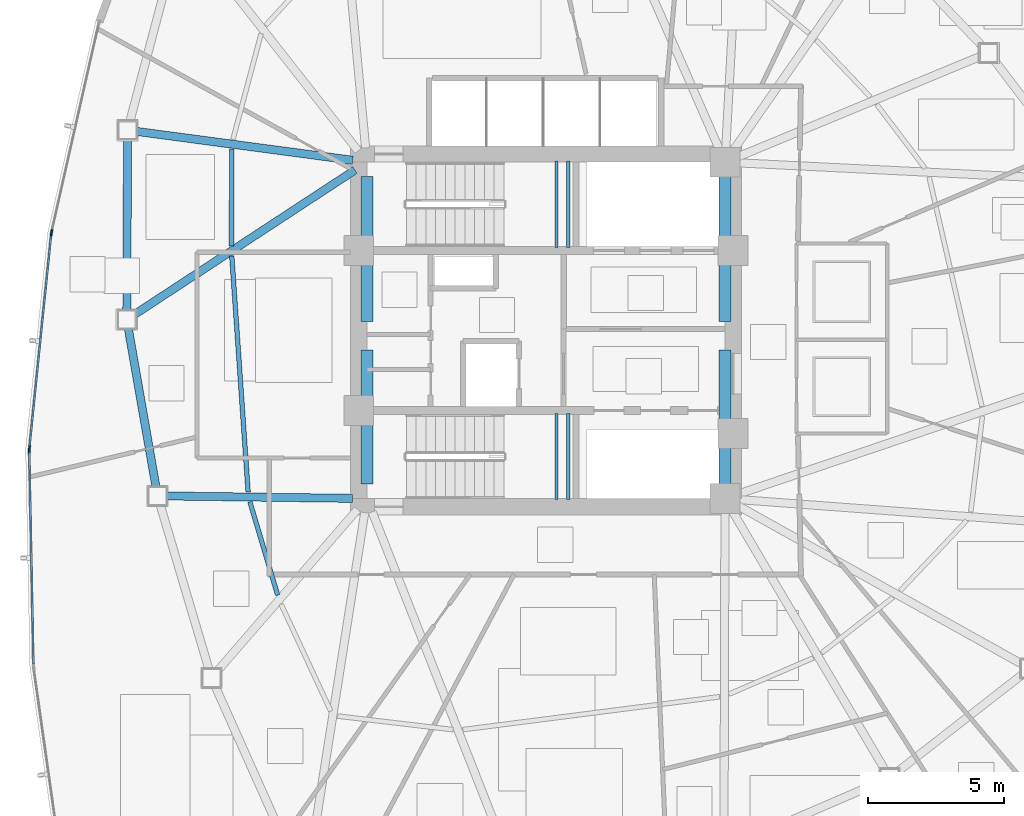
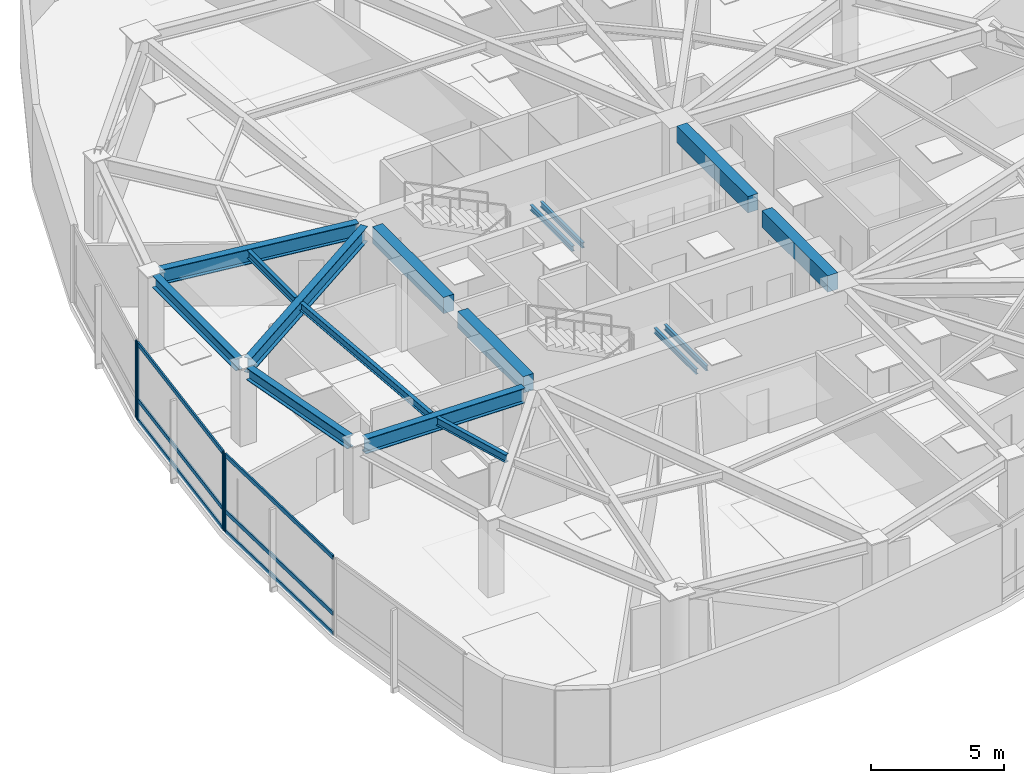
# One storey, part 4 of 17: 16 beams, 10 members, 3 elements without a shape of their own.
"""IFC4 building model written with IfcOpenShell, lengths in metres."""

from ifc_helpers import new_model, si_unit, direction, frame, origin, origin_2d, place, context, subcontext, project, spatial, rectangle, hollow_rectangle, i_section, extrude, source, transform, mapped, material, layer, layer_set, material_profile, profile_set, type_object, type_shapes, element, aggregate, save


model = new_model("IFC4")

# Units and contexts
model_context = context("Model", 3, precision=1e-05, world=origin(), true_north=direction((0.0, 1.0)))
body_context = subcontext(model_context, "Body", "Model", "MODEL_VIEW")
ifc_project = project(units=[si_unit("LENGTHUNIT", "METRE"), si_unit("AREAUNIT", "SQUARE_METRE"), si_unit("VOLUMEUNIT", "CUBIC_METRE"), si_unit("PLANEANGLEUNIT", "RADIAN"), si_unit("MASSUNIT", "GRAM", prefix="KILO")], contexts=[model_context])

# Site, building, storey
site_placement = place(None, origin())
site = spatial("IfcSite", under=ifc_project, at=site_placement, CompositionType="ELEMENT")
building_placement = place(site_placement, origin())
building = spatial("IfcBuilding", under=site, at=building_placement, Name="Tavelor Broadcast Tower", CompositionType="ELEMENT")
storey_placement = place(building_placement, frame((0.0, 0.0, 119.449951171875)))
storey = spatial("IfcBuildingStorey", under=building, at=storey_placement, Name="L27", CompositionType="ELEMENT", Elevation=119.449951171875)

# Beams
ifc_material_1 = material(Name="Concrete C40/50", Category="concrete")
ifc_material_profile_1 = material_profile(ifc_material_1, rectangle(XDim=0.449951171875, YDim=0.75, at=origin_2d()), Name="RC 450x750")
ifc_profile_set_1 = profile_set([ifc_material_profile_1], Name="Concrete C40/50")
beam_type_1 = type_object("IfcBeamType", Name="Basement Core Trim Beam 450x750", PredefinedType="BEAM", material=ifc_profile_set_1)
for number, where, z_axis, x_axis, name in (
    (1, (43.39990234375, 45.327880859375, 3.175048828125), (0.0, 1.0, 0.0), (-1.0, 0.0, 0.0), "L27 Core West-N Tie Girder"),
    (2, (56.60009765625, 45.327880859375, 3.175048828125), (0.0, 1.0, 0.0), (-1.0, 0.0, 0.0), "L27 Core East-N Tie Girder"),
):
    element("IfcBeam", number, at=place(storey_placement, frame(where, z_axis=z_axis, x_axis=x_axis)), inside=storey, type_object=beam_type_1, Name=name, PredefinedType="BEAM", context=body_context, shape_type="SweptSolid", body=[
        extrude(rectangle(XDim=0.449951171875, YDim=0.75, at=origin_2d()), origin(), (0.0, 0.0, 1.0), 5.34423828125),
    ])
for number, where, z_axis, x_axis, name in (
    (3, (43.39990234375, 39.327880859375, 3.175048828125), (0.0, 1.0, 0.0), (-1.0, 0.0, 0.0), "L27 Core West-S Tie Girder"),
    (4, (56.60009765625, 39.327880859375, 3.175048828125), (0.0, 1.0, 0.0), (-1.0, 0.0, 0.0), "L27 Core East-S Tie Girder"),
):
    element("IfcBeam", number, at=place(storey_placement, frame(where, z_axis=z_axis, x_axis=x_axis)), inside=storey, type_object=beam_type_1, Name=name, PredefinedType="BEAM", context=body_context, shape_type="SweptSolid", body=[
        extrude(rectangle(XDim=0.449951171875, YDim=0.75, at=origin_2d()), origin(), (0.0, 0.0, 1.0), 4.944091796875),
    ])
ifc_material_2 = material(Name="Steel S355", Category="steel")
ifc_material_profile_2 = material_profile(ifc_material_2, i_section(OverallWidth=0.169921875, OverallDepth=0.360107421875, WebThickness=0.008056640625, FlangeThickness=0.0126953125, at=origin_2d()), Name="IPE 360")
ifc_profile_set_2 = profile_set([ifc_material_profile_2], Name="Steel S355")
beam_type_2 = type_object("IfcBeamType", Name="Composite Floor Joist T3 IPE 360", PredefinedType="JOIST", material=ifc_profile_set_2)
beam_1_placement = place(storey_placement, frame((38.413818359375, 51.685302734375, 3.3701171875), z_axis=(-0.002320654457, -0.999997307278, 0.0), x_axis=(0.999997307278, -0.002320654457, 0.0)))
element("IfcBeam", 5, at=beam_1_placement, inside=storey, type_object=beam_type_2, Name="L27 Secondary Composite Floor Joist 03", PredefinedType="JOIST", context=body_context, shape_type="SweptSolid", body=[
    extrude(i_section(OverallWidth=0.169921875, OverallDepth=0.360107421875, WebThickness=0.008056640625, FlangeThickness=0.0126953125, at=origin_2d()), origin(), (0.0, 0.0, 1.0), 3.576904296875),
])
beam_2_placement = place(storey_placement, frame((38.41748046875, 47.74658203125, 3.3701171875), z_axis=(0.069100565304, -0.997609699168, 0.0), x_axis=(0.997609699168, 0.069100565304, 0.0)))
element("IfcBeam", 6, at=beam_2_placement, inside=storey, type_object=beam_type_2, Name="L27 Secondary Composite Floor Joist 04", PredefinedType="JOIST", context=body_context, shape_type="SweptSolid", body=[
    extrude(i_section(OverallWidth=0.169921875, OverallDepth=0.360107421875, WebThickness=0.008056640625, FlangeThickness=0.0126953125, at=origin_2d()), origin(), (0.0, 0.0, 1.0), 8.730224609375),
])
beam_3_placement = place(storey_placement, frame((39.084716796875, 38.68310546875, 3.3701171875), z_axis=(0.285203072184, -0.958467113477, 0.0), x_axis=(0.958467113477, 0.285203072184, 0.0)))
element("IfcBeam", 7, at=beam_3_placement, inside=storey, type_object=beam_type_2, Name="L27 Secondary Composite Floor Joist 05", PredefinedType="JOIST", context=body_context, shape_type="SweptSolid", body=[
    extrude(i_section(OverallWidth=0.169921875, OverallDepth=0.360107421875, WebThickness=0.008056640625, FlangeThickness=0.0126953125, at=origin_2d()), origin(), (0.0, 0.0, 1.0), 3.593505859375),
])
ifc_material_profile_3 = material_profile(ifc_material_2, i_section(OverallWidth=0.300048828125, OverallDepth=0.550048828125, WebThickness=0.014892578125, FlangeThickness=0.029052734375, at=origin_2d()), Name="HEB 550")
ifc_profile_set_3 = profile_set([ifc_material_profile_3], Name="Steel S355")
beam_type_3 = type_object("IfcBeamType", Name="Perimeter Spandrel Beam T3 HEB 550", PredefinedType="SPANDREL", material=ifc_profile_set_3)
beam_4_placement = place(storey_placement, frame((34.57373046875, 52.043212890625, 3.275146484375), z_axis=(-0.00410245019, -0.999991584916, 0.0), x_axis=(0.999991584916, -0.00410245019, 0.0)))
element("IfcBeam", 8, at=beam_4_placement, inside=storey, type_object=beam_type_3, Name="L27 Framed-Tube Ring Spandrel 03", PredefinedType="SPANDREL", context=body_context, shape_type="SweptSolid", body=[
    extrude(i_section(OverallWidth=0.300048828125, OverallDepth=0.550048828125, WebThickness=0.014892578125, FlangeThickness=0.029052734375, at=origin_2d()), origin(), (0.0, 0.0, 1.0), 6.30810546875),
])
beam_5_placement = place(storey_placement, frame((34.604248046875, 45.068115234375, 3.275146484375), z_axis=(0.17197754126, -0.985100870623, 0.0), x_axis=(0.985100870623, 0.17197754126, 0.0)))
element("IfcBeam", 9, at=beam_5_placement, inside=storey, type_object=beam_type_3, Name="L27 Framed-Tube Ring Spandrel 04", PredefinedType="SPANDREL", context=body_context, shape_type="SweptSolid", body=[
    extrude(i_section(OverallWidth=0.300048828125, OverallDepth=0.550048828125, WebThickness=0.014892578125, FlangeThickness=0.029052734375, at=origin_2d()), origin(), (0.0, 0.0, 1.0), 5.925537109375),
])
ifc_material_profile_4 = material_profile(ifc_material_2, i_section(OverallWidth=0.300048828125, OverallDepth=0.68994140625, WebThickness=0.014404296875, FlangeThickness=0.027099609375, at=origin_2d()), Name="HEA 700")
ifc_profile_set_4 = profile_set([ifc_material_profile_4], Name="Steel S355")
beam_type_4 = type_object("IfcBeamType", Name="Radial Floor Girder T3 HEA 700", PredefinedType="BEAM", material=ifc_profile_set_4)
beam_6_placement = place(storey_placement, frame((42.876708984375, 51.27001953125, 3.205078125), z_axis=(-0.991191527329, 0.132436234281, 0.0), x_axis=(-0.132436234281, -0.991191527329, 0.0)))
element("IfcBeam", 10, at=beam_6_placement, inside=storey, type_object=beam_type_4, Name="L27 Radial Primary Floor Girder 03", PredefinedType="BEAM", context=body_context, shape_type="SweptSolid", body=[
    extrude(i_section(OverallWidth=0.300048828125, OverallDepth=0.68994140625, WebThickness=0.014404296875, FlangeThickness=0.027099609375, at=origin_2d()), origin(), (0.0, 0.0, 1.0), 8.039306640625),
])
beam_7_placement = place(storey_placement, frame((42.95849609375, 50.91064453125, 3.205078125), z_axis=(-0.836455571638, -0.548034740391, 0.0), x_axis=(0.548034740391, -0.836455571638, 0.0)))
element("IfcBeam", 11, at=beam_7_placement, inside=storey, type_object=beam_type_4, Name="L27 Radial Primary Floor Girder 04", PredefinedType="BEAM", context=body_context, shape_type="SweptSolid", body=[
    extrude(i_section(OverallWidth=0.300048828125, OverallDepth=0.68994140625, WebThickness=0.014404296875, FlangeThickness=0.027099609375, at=origin_2d()), origin(), (0.0, 0.0, 1.0), 9.720947265625),
])
beam_8_placement = place(storey_placement, frame((42.8720703125, 38.806884765625, 3.205078125), z_axis=(-0.999916440376, 0.012927190963, 0.0), x_axis=(-0.012927190963, -0.999916440376, 0.0)))
element("IfcBeam", 12, at=beam_8_placement, inside=storey, type_object=beam_type_4, Name="L27 Radial Primary Floor Girder 05", PredefinedType="BEAM", context=body_context, shape_type="SweptSolid", body=[
    extrude(i_section(OverallWidth=0.300048828125, OverallDepth=0.68994140625, WebThickness=0.014404296875, FlangeThickness=0.027099609375, at=origin_2d()), origin(), (0.0, 0.0, 1.0), 6.85546875),
])
ifc_material_profile_5 = material_profile(ifc_material_2, i_section(OverallWidth=0.1201171875, OverallDepth=0.239990234375, WebThickness=0.006103515625, FlangeThickness=0.009765625, at=origin_2d()), Name="IPE 240")
ifc_profile_set_5 = profile_set([ifc_material_profile_5], Name="Steel S355")
beam_type_5 = type_object("IfcBeamType", Name="Stairwell Landing Support Trimmer Beam IPE240", PredefinedType="BEAM", material=ifc_profile_set_5)
for number, where, z_axis, x_axis, name in (
    (13, (50.385009765625, 48.06005859375, 1.610107421875), (0.0, 1.0, 0.0), (-1.0, 0.0, 0.0), "L27 Stair Landing Support Beam 87"),
    (14, (50.824951171875, 48.06005859375, 1.610107421875), (0.0, 1.0, 0.0), (-1.0, 0.0, 0.0), "L27 Stair Landing Support Beam 88"),
    (15, (50.385009765625, 38.760009765625, 1.610107421875), (0.0, 1.0, 0.0), (-1.0, 0.0, 0.0), "L27 Stair Landing Support Beam 301"),
    (16, (50.824951171875, 38.760009765625, 1.610107421875), (0.0, 1.0, 0.0), (-1.0, 0.0, 0.0), "L27 Stair Landing Support Beam 302"),
):
    element("IfcBeam", number, at=place(storey_placement, frame(where, z_axis=z_axis, x_axis=x_axis)), inside=storey, type_object=beam_type_5, Name=name, PredefinedType="BEAM", context=body_context, shape_type="SweptSolid", body=[
        extrude(i_section(OverallWidth=0.1201171875, OverallDepth=0.239990234375, WebThickness=0.006103515625, FlangeThickness=0.009765625, at=origin_2d()), origin(), (0.0, 0.0, 1.0), 3.179931640625),
    ])

# Curtain wall, members
ifc_material_3 = material(Name="Architectural Anodized Aluminium", Category="aluminium")
ifc_layer = layer(ifc_material_3, 0.18994140625)
ifc_layer_set = layer_set([ifc_layer], Name="Architectural Anodized Aluminium")
curtain_wall_type = type_object("IfcCurtainWallType", Name="Tower Mid-Zone Acoustic Curtain Wall CW03", PredefinedType="NOTDEFINED", material=ifc_layer_set)
curtain_wall_1_placement = place(storey_placement, origin())
curtain_wall_1 = element("IfcCurtainWall", 17, at=curtain_wall_1_placement, inside=storey, type_object=curtain_wall_type, Name="L27 Curtain Wall CW03 Run 266", PredefinedType="NOTDEFINED")
ifc_material_profile_6 = material_profile(ifc_material_3, hollow_rectangle(XDim=0.068115234375, YDim=0.18994140625, WallThickness=0.02197265625, at=origin_2d()), Name="RHS 68x190x22")
ifc_profile_set_6 = profile_set([ifc_material_profile_6], Name="Architectural Anodized Aluminium")
member_type_1 = type_object("IfcMemberType", Name="CW03 Extruded Aluminium Transom 68x190", PredefinedType="USERDEFINED", material=ifc_profile_set_6)
shared_shape_1 = source(origin(), body_context, "Body", "SweptSolid", [
    extrude(hollow_rectangle(XDim=0.068115234375, YDim=0.18994140625, WallThickness=0.02197265625, at=origin_2d()), origin(), (0.0, 0.0, 1.0), 7.837890625),
])
member_1_placement = place(storey_placement, frame((31.757080078125, 48.492919921875, 0.033935546875), z_axis=(-0.101483489087, -0.994837223591, 0.0), x_axis=(0.994837223591, -0.101483489087, 0.0)))
member_1 = element("IfcMember", 18, at=member_1_placement, type_object=member_type_1, Name="CW03 transom 1.1", ObjectType="TRANSOM", PredefinedType="USERDEFINED", context=body_context, shape_type="MappedRepresentation", body=[
    mapped(shared_shape_1, transform((0.0, 0.0, 0.0), scale=1.0)),
])
member_2_placement = place(storey_placement, frame((31.757080078125, 48.492919921875, 0.949951171875), z_axis=(-0.101483489087, -0.994837223591, 0.0), x_axis=(0.994837223591, -0.101483489087, 0.0)))
member_2 = element("IfcMember", 19, at=member_2_placement, type_object=member_type_1, Name="CW03 transom 1.2", ObjectType="TRANSOM", PredefinedType="USERDEFINED", context=body_context, shape_type="MappedRepresentation", body=[
    mapped(shared_shape_1, transform((0.0, 0.0, 0.0), scale=1.0)),
])
member_3_placement = place(storey_placement, frame((31.757080078125, 48.492919921875, 3.51611328125), z_axis=(-0.101483489087, -0.994837223591, 0.0), x_axis=(0.994837223591, -0.101483489087, 0.0)))
member_3 = element("IfcMember", 20, at=member_3_placement, type_object=member_type_1, Name="CW03 transom 1.3", ObjectType="TRANSOM", PredefinedType="USERDEFINED", context=body_context, shape_type="MappedRepresentation", body=[
    mapped(shared_shape_1, transform((0.0, 0.0, 0.0), scale=1.0)),
])

# Curtain wall, member
curtain_wall_2_placement = place(storey_placement, origin())
curtain_wall_2 = element("IfcCurtainWall", 21, at=curtain_wall_2_placement, inside=storey, type_object=curtain_wall_type, Name="L27 Curtain Wall CW03 Run 265", PredefinedType="NOTDEFINED")
ifc_material_profile_7 = material_profile(ifc_material_3, hollow_rectangle(XDim=0.068115234375, YDim=0.18994140625, WallThickness=0.02197265625, at=origin_2d()), Name="RHS 68x190x22")
ifc_profile_set_7 = profile_set([ifc_material_profile_7], Name="Architectural Anodized Aluminium")
member_type_2 = type_object("IfcMemberType", Name="CW03 Extruded Aluminium Mullion 68x190", PredefinedType="MULLION", material=ifc_profile_set_7)
shared_shape_2 = source(origin(), body_context, "Body", "SweptSolid", [
    extrude(hollow_rectangle(XDim=0.068115234375, YDim=0.18994140625, WallThickness=0.02197265625, at=origin_2d()), origin(), (0.0, 0.0, 1.0), 3.550048828125),
])
type_shapes(member_type_2, [shared_shape_2])
member_4_placement = place(storey_placement, frame((31.776123046875, 48.623291015625, 0.0), z_axis=(0.0, 0.0, 1.0), x_axis=(0.975241679601, -0.221141733668, 0.0)))
member_4 = element("IfcMember", 22, at=member_4_placement, type_object=member_type_2, Name="CW03 mullion 2", PredefinedType="MULLION", context=body_context, shape_type="MappedRepresentation", body=[
    mapped(shared_shape_2, transform((0.0, 0.0, 0.0), scale=1.0)),
])
aggregate(curtain_wall_2, [member_4])

# Member
member_5_placement = place(storey_placement, frame((31.760498046875, 48.52685546875, 0.0), z_axis=(0.0, 0.0, 1.0), x_axis=(0.994837553732, -0.101480252685, 0.0)))
member_5 = element("IfcMember", 23, at=member_5_placement, type_object=member_type_2, Name="CW03 mullion 1", PredefinedType="MULLION", context=body_context, shape_type="MappedRepresentation", body=[
    mapped(shared_shape_2, transform((0.0, 0.0, 0.0), scale=1.0)),
])

member_6_placement = place(storey_placement, frame((30.958251953125, 40.66162109375, 0.0), z_axis=(0.0, 0.0, 1.0), x_axis=(0.994837553732, -0.101480252685, 0.0)))
member_6 = element("IfcMember", 24, at=member_6_placement, type_object=member_type_2, Name="CW03 mullion 2", PredefinedType="MULLION", context=body_context, shape_type="MappedRepresentation", body=[
    mapped(shared_shape_2, transform((0.0, 0.0, 0.0), scale=1.0)),
])

aggregate(curtain_wall_1, [member_5, member_6, member_1, member_2, member_3])

# Curtain wall, members
curtain_wall_3_placement = place(storey_placement, origin())
curtain_wall_3 = element("IfcCurtainWall", 25, at=curtain_wall_3_placement, inside=storey, type_object=curtain_wall_type, Name="L27 Curtain Wall CW03 Run 267", PredefinedType="NOTDEFINED")
member_7_placement = place(storey_placement, frame((30.9541015625, 40.56396484375, 0.0), z_axis=(0.0, 0.0, 1.0), x_axis=(0.999806895173, 0.019651268793, 0.0)))
member_7 = element("IfcMember", 26, at=member_7_placement, type_object=member_type_2, Name="CW03 mullion 1", PredefinedType="MULLION", context=body_context, shape_type="MappedRepresentation", body=[
    mapped(shared_shape_2, transform((0.0, 0.0, 0.0), scale=1.0)),
])
shared_shape_3 = source(origin(), body_context, "Body", "SweptSolid", [
    extrude(hollow_rectangle(XDim=0.068115234375, YDim=0.18994140625, WallThickness=0.02197265625, at=origin_2d()), origin(), (0.0, 0.0, 1.0), 7.838134765625),
])
type_shapes(member_type_1, [shared_shape_1, shared_shape_3])
member_8_placement = place(storey_placement, frame((30.954833984375, 40.530029296875, 0.033935546875), z_axis=(0.019623000522, -0.999807450388, 0.0), x_axis=(0.999807450388, 0.019623000522, 0.0)))
member_8 = element("IfcMember", 27, at=member_8_placement, type_object=member_type_1, Name="CW03 transom 1.1", ObjectType="TRANSOM", PredefinedType="USERDEFINED", context=body_context, shape_type="MappedRepresentation", body=[
    mapped(shared_shape_3, transform((0.0, 0.0, 0.0), scale=1.0)),
])
member_9_placement = place(storey_placement, frame((30.954833984375, 40.530029296875, 0.949951171875), z_axis=(0.019623000522, -0.999807450388, 0.0), x_axis=(0.999807450388, 0.019623000522, 0.0)))
member_9 = element("IfcMember", 28, at=member_9_placement, type_object=member_type_1, Name="CW03 transom 1.2", ObjectType="TRANSOM", PredefinedType="USERDEFINED", context=body_context, shape_type="MappedRepresentation", body=[
    mapped(shared_shape_3, transform((0.0, 0.0, 0.0), scale=1.0)),
])
member_10_placement = place(storey_placement, frame((30.954833984375, 40.530029296875, 3.51611328125), z_axis=(0.019623000522, -0.999807450388, 0.0), x_axis=(0.999807450388, 0.019623000522, 0.0)))
member_10 = element("IfcMember", 29, at=member_10_placement, type_object=member_type_1, Name="CW03 transom 1.3", ObjectType="TRANSOM", PredefinedType="USERDEFINED", context=body_context, shape_type="MappedRepresentation", body=[
    mapped(shared_shape_3, transform((0.0, 0.0, 0.0), scale=1.0)),
])
aggregate(curtain_wall_3, [member_7, member_8, member_9, member_10])

save(model, "model.ifc")
